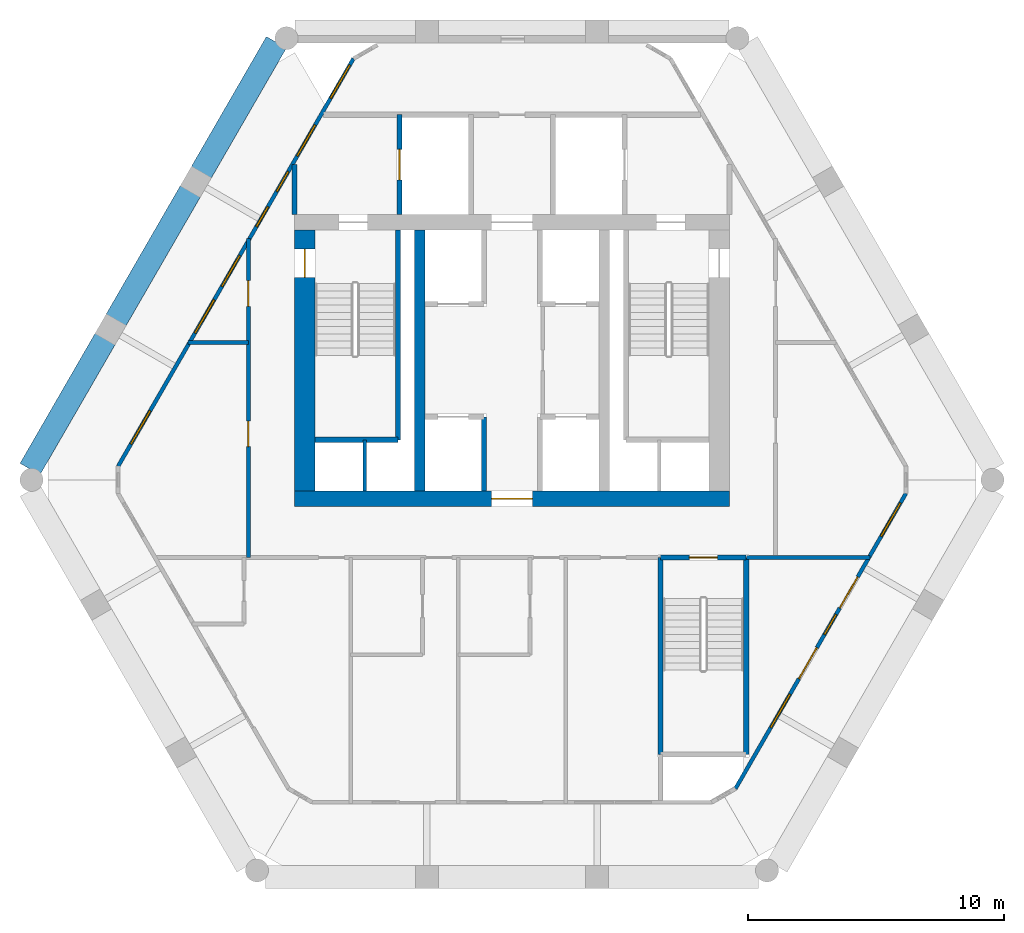
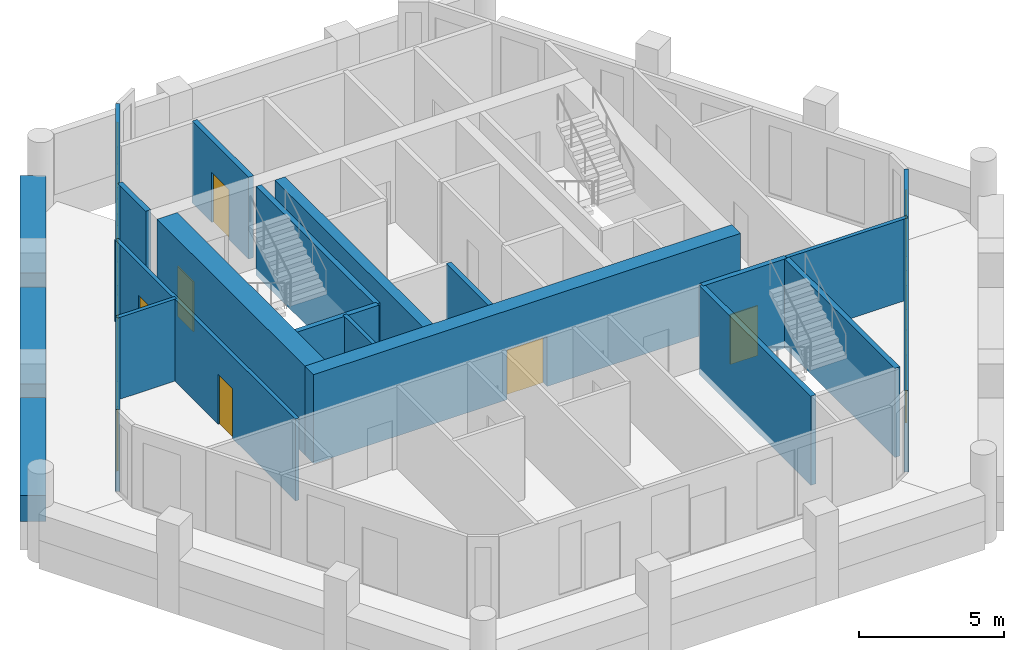
# One storey, part 3 of 6: 20 walls, 10 windows, 8 doors, 18 openings.
"""IFC4 building model written with IfcOpenShell, lengths in metres."""

from ifc_helpers import new_model, si_unit, direction, frame, frame_2d, origin, place, context, subcontext, project, spatial, rectangle, extrude, material, layer, layer_set, type_object, element, fill, save


model = new_model("IFC4")

# Units and contexts
model_context = context("Model", 3, precision=1e-05, world=origin(), true_north=direction((0.0, 1.0)))
body_context = subcontext(model_context, "Body", "Model", "MODEL_VIEW")
ifc_project = project(units=[si_unit("LENGTHUNIT", "METRE"), si_unit("AREAUNIT", "SQUARE_METRE"), si_unit("VOLUMEUNIT", "CUBIC_METRE"), si_unit("PLANEANGLEUNIT", "RADIAN"), si_unit("MASSUNIT", "GRAM", prefix="KILO")], contexts=[model_context])

# Site, building, storey
site_placement = place(None, origin())
site = spatial("IfcSite", under=ifc_project, at=site_placement, CompositionType="ELEMENT")
building_placement = place(site_placement, origin())
building = spatial("IfcBuilding", under=site, at=building_placement, Name="Ostrander Bayou Hotel Tower", CompositionType="ELEMENT")
storey_placement = place(building_placement, frame((0.0, 0.0, 252.5)))
storey = spatial("IfcBuildingStorey", under=building, at=storey_placement, Name="L62", CompositionType="ELEMENT", Elevation=252.5)

# Wall, opening, door
ifc_material_1 = material(Name="Concrete f'c 60 MPa", Category="concrete")
ifc_layer_1 = layer(ifc_material_1, 0.60009765625)
ifc_layer_set_1 = layer_set([ifc_layer_1], Name="CW10 core wall 600 mm f'c 60 MPa")
wall_type_1 = type_object("IfcWallType", Name="CW10 core wall 600 mm f'c 60 MPa", PredefinedType="SHEAR", material=ifc_layer_set_1)
wall_1_placement = place(storey_placement, frame((-8.5, -1.39990234375, -0.300048828125), z_axis=(0.0, 0.0, 1.0), x_axis=(1.0, 0.0, 0.0)))
wall_1 = element("IfcWall", 1, at=wall_1_placement, inside=storey, type_object=wall_type_1, Name="CW10 L62 S", PredefinedType="SHEAR", context=body_context, shape_type="SweptSolid", body=[
    extrude(rectangle(XDim=17.0, YDim=0.60009765625, at=frame_2d((8.5, 0.0))), origin(), (0.0, 0.0, 1.0), 3.75),
])
opening_1_placement = place(wall_1_placement, frame((7.699951171875, 0.0, 0.0)))
opening_1 = element("IfcOpeningElement", 2, at=opening_1_placement, cuts=wall_1, Name="Opening T60-005", PredefinedType="OPENING", context=body_context, shape_type="SweptSolid", body=[
    extrude(rectangle(XDim=1.60009765625, YDim=2.10009765625, at=frame_2d((0.800048828125, 1.050048828125))), frame((0.0, 0.300048828125, 0.0), z_axis=(0.0, -1.0, 0.0), x_axis=(1.0, 0.0, 0.0)), (0.0, 0.0, 1.0), 0.60009765625),
])
ifc_material_2 = material(Name="Timber door leaf", Category="wood")
door_type_1 = type_object("IfcDoorType", Name="D13 double door 1600 x 2100 mm, 1 hour", OperationType="SINGLE_SWING_LEFT", PredefinedType="DOOR", material=ifc_material_2)
door_1_placement = place(opening_1_placement, origin())
door_1 = element("IfcDoor", 3, at=door_1_placement, inside=storey, type_object=door_type_1, Name="dr:L62:005", OperationType="DOUBLE_DOOR_SINGLE_SWING", OverallHeight=2.10009765625, OverallWidth=1.60009765625, PredefinedType="DOOR", context=body_context, shape_type="SweptSolid", body=[
    extrude(rectangle(XDim=1.60009765625, YDim=2.10009765625, at=frame_2d((0.800048828125, 1.050048828125))), frame((0.0, 0.02490234375, 0.0), z_axis=(0.0, -1.0, 0.0), x_axis=(1.0, 0.0, 0.0)), (0.0, 0.0, 1.0), 0.050048828125),
])
fill(opening_1, door_1)

ifc_material_3 = material(Name="Concrete f'c 60 MPa", Category="concrete")
ifc_layer_2 = layer(ifc_material_3, 0.800048828125)
ifc_layer_set_2 = layer_set([ifc_layer_2], Name="CW11 core spine wall 800 mm f'c 60 MPa")
wall_type_2 = type_object("IfcWallType", Name="CW11 core spine wall 800 mm f'c 60 MPa", PredefinedType="SHEAR", material=ifc_layer_set_2)
wall_2_placement = place(storey_placement, frame((-8.10009765625, -1.10009765625, -0.300048828125), z_axis=(0.0, 0.0, 1.0), x_axis=(0.0, 1.0, 0.0)))
wall_2 = element("IfcWall", 4, at=wall_2_placement, inside=storey, type_object=wall_type_2, Name="CW11 L62 W", PredefinedType="SHEAR", context=body_context, shape_type="SweptSolid", body=[
    extrude(rectangle(XDim=10.2001953125, YDim=0.800048828125, at=frame_2d((5.10009765625, 0.0))), origin(), (0.0, 0.0, 1.0), 3.75),
])
opening_2_placement = place(wall_2_placement, frame((8.35009765625, 0.0, 0.0)))
opening_2 = element("IfcOpeningElement", 5, at=opening_2_placement, cuts=wall_2, Name="Opening T60-008", PredefinedType="OPENING", context=body_context, shape_type="SweptSolid", body=[
    extrude(rectangle(XDim=1.10009765625, YDim=2.10009765625, at=frame_2d((0.550048828125, 1.050048828125))), frame((0.0, 0.39990234375, 0.0), z_axis=(0.0, -1.0, 0.0), x_axis=(1.0, 0.0, 0.0)), (0.0, 0.0, 1.0), 0.800048828125),
])
ifc_material_4 = material(Name="Timber door leaf", Category="wood")
door_type_2 = type_object("IfcDoorType", Name="D5 stair door 1100 x 2100 mm, 90 minute", OperationType="SINGLE_SWING_LEFT", PredefinedType="DOOR", material=ifc_material_4)
door_2_placement = place(opening_2_placement, origin())
door_2 = element("IfcDoor", 6, at=door_2_placement, inside=storey, type_object=door_type_2, Name="dr:L62:008", OperationType="SINGLE_SWING_RIGHT", OverallHeight=2.10009765625, OverallWidth=1.10009765625, PredefinedType="DOOR", context=body_context, shape_type="SweptSolid", body=[
    extrude(rectangle(XDim=1.10009765625, YDim=2.10009765625, at=frame_2d((0.550048828125, 1.050048828125))), frame((0.0, 0.02490234375, 0.0), z_axis=(0.0, -1.0, 0.0), x_axis=(1.0, 0.0, 0.0)), (0.0, 0.0, 1.0), 0.050048828125),
])
fill(opening_2, door_2)

# Wall
ifc_material_5 = material(Name="Concrete f'c 60 MPa", Category="concrete")
ifc_layer_3 = layer(ifc_material_5, 0.39990234375)
ifc_layer_set_3 = layer_set([ifc_layer_3], Name="CW12 core bank wall 400 mm f'c 60 MPa")
wall_type_3 = type_object("IfcWallType", Name="CW12 core bank wall 400 mm f'c 60 MPa", PredefinedType="SHEAR", material=ifc_layer_set_3)
wall_3_placement = place(storey_placement, frame((-3.60009765625, -1.10009765625, -0.300048828125), z_axis=(0.0, 0.0, 1.0), x_axis=(0.0, 1.0, 0.0)))
element("IfcWall", 7, at=wall_3_placement, inside=storey, type_object=wall_type_3, Name="CW12 L62 CW", PredefinedType="SHEAR", context=body_context, shape_type="SweptSolid", body=[
    extrude(rectangle(XDim=10.2001953125, YDim=0.39990234375, at=frame_2d((5.10009765625, 0.0))), origin(), (0.0, 0.0, 1.0), 3.75),
])

# Wall, openings, windows
ifc_material_6 = material(Name="Aluminium framed insulated wall", Category="aluminium")
ifc_layer_4 = layer(ifc_material_6, 0.14990234375)
ifc_layer_set_4 = layer_set([ifc_layer_4], Name="GW1 glass-line wall 150 mm")
wall_type_4 = type_object("IfcWallType", Name="GW1 glass-line wall 150 mm", PredefinedType="SOLIDWALL", material=ifc_layer_set_4)
wall_4_placement = place(storey_placement, frame((-6.19287109375, 15.79248046875, 0.0), z_axis=(0.0, 0.0, 1.0), x_axis=(-0.499998651697, -0.866026182226, 0.0)))
wall_4 = element("IfcWall", 8, at=wall_4_placement, inside=storey, type_object=wall_type_4, Name="GW1 L62 NW 1", PredefinedType="SOLIDWALL", context=body_context, shape_type="SweptSolid", body=[
    extrude(rectangle(XDim=18.38916015625, YDim=0.14990234375, at=frame_2d((9.194580078125, 0.0))), origin(), (0.0, 0.0, 1.0), 3.449951171875),
])
opening_3_placement = place(wall_4_placement, frame((5.093505859375, 0.0, 0.14990234375)))
opening_3 = element("IfcOpeningElement", 9, at=opening_3_placement, cuts=wall_4, Name="Opening W18", PredefinedType="OPENING", context=body_context, shape_type="SweptSolid", body=[
    extrude(rectangle(XDim=0.89990234375, YDim=2.85009765625, at=frame_2d((0.449951171875, 1.425048828125))), frame((0.0, 0.074951171875, 0.0), z_axis=(0.0, -1.0, 0.0), x_axis=(1.0, 0.0, 0.0)), (0.0, 0.0, 1.0), 0.14990234375),
])
opening_4_placement = place(wall_4_placement, frame((2.99365234375, 0.0, 0.14990234375)))
opening_4 = element("IfcOpeningElement", 10, at=opening_4_placement, cuts=wall_4, Name="Opening W14", PredefinedType="OPENING", context=body_context, shape_type="SweptSolid", body=[
    extrude(rectangle(XDim=1.39990234375, YDim=2.85009765625, at=frame_2d((0.699951171875, 1.425048828125))), frame((0.0, 0.074951171875, 0.0), z_axis=(0.0, -1.0, 0.0), x_axis=(1.0, 0.0, 0.0)), (0.0, 0.0, 1.0), 0.14990234375),
])
opening_5_placement = place(wall_4_placement, frame((6.68017578125, 0.0, 0.14990234375)))
opening_5 = element("IfcOpeningElement", 11, at=opening_5_placement, cuts=wall_4, Name="Opening W18", PredefinedType="OPENING", context=body_context, shape_type="SweptSolid", body=[
    extrude(rectangle(XDim=0.89990234375, YDim=2.85009765625, at=frame_2d((0.449951171875, 1.425048828125))), frame((0.0, 0.074951171875, 0.0), z_axis=(0.0, -1.0, 0.0), x_axis=(1.0, 0.0, 0.0)), (0.0, 0.0, 1.0), 0.14990234375),
])
opening_6_placement = place(wall_4_placement, frame((8.880126953125, 0.0, 0.14990234375)))
opening_6 = element("IfcOpeningElement", 12, at=opening_6_placement, cuts=wall_4, Name="Opening W14", PredefinedType="OPENING", context=body_context, shape_type="SweptSolid", body=[
    extrude(rectangle(XDim=1.39990234375, YDim=2.85009765625, at=frame_2d((0.699951171875, 1.425048828125))), frame((0.0, 0.074951171875, 0.0), z_axis=(0.0, -1.0, 0.0), x_axis=(1.0, 0.0, 0.0)), (0.0, 0.0, 1.0), 0.14990234375),
])
opening_7_placement = place(wall_4_placement, frame((10.880126953125, 0.0, 0.14990234375)))
opening_7 = element("IfcOpeningElement", 13, at=opening_7_placement, cuts=wall_4, Name="Opening W4", PredefinedType="OPENING", context=body_context, shape_type="SweptSolid", body=[
    extrude(rectangle(XDim=1.5, YDim=2.85009765625, at=frame_2d((0.75, 1.425048828125))), frame((0.0, 0.074951171875, 0.0), z_axis=(0.0, -1.0, 0.0), x_axis=(1.0, 0.0, 0.0)), (0.0, 0.0, 1.0), 0.14990234375),
])
opening_8_placement = place(wall_4_placement, frame((0.2900390625, 0.0, 0.14990234375)))
opening_8 = element("IfcOpeningElement", 14, at=opening_8_placement, cuts=wall_4, Name="Opening W4", PredefinedType="OPENING", context=body_context, shape_type="SweptSolid", body=[
    extrude(rectangle(XDim=1.5, YDim=2.72998046875, at=frame_2d((0.75, 1.364990234375))), frame((0.0, 0.074951171875, 0.0), z_axis=(0.0, -1.0, 0.0), x_axis=(1.0, 0.0, 0.0)), (0.0, 0.0, 1.0), 0.14990234375),
])
opening_9_placement = place(wall_4_placement, frame((15.884765625, 0.0, 0.14990234375)))
opening_9 = element("IfcOpeningElement", 15, at=opening_9_placement, cuts=wall_4, Name="Opening W4", PredefinedType="OPENING", context=body_context, shape_type="SweptSolid", body=[
    extrude(rectangle(XDim=1.5, YDim=2.72998046875, at=frame_2d((0.75, 1.364990234375))), frame((0.0, 0.074951171875, 0.0), z_axis=(0.0, -1.0, 0.0), x_axis=(1.0, 0.0, 0.0)), (0.0, 0.0, 1.0), 0.14990234375),
])
ifc_material_7 = material(Name="Aluminium and clear glass", Category="aluminium")
window_type_1 = type_object("IfcWindowType", Name="W14 fixed window 1400 mm, bath bay, zone 4", PartitioningType="SINGLE_PANEL", PredefinedType="WINDOW", material=ifc_material_7)
window_1_placement = place(opening_4_placement, origin())
window_1 = element("IfcWindow", 16, at=window_1_placement, inside=storey, type_object=window_type_1, Name="W14 L62 NW 1", OverallHeight=2.85009765625, OverallWidth=1.39990234375, PartitioningType="SINGLE_PANEL", PredefinedType="WINDOW", context=body_context, shape_type="SweptSolid", body=[
    extrude(rectangle(XDim=1.39990234375, YDim=2.85009765625, at=frame_2d((0.699951171875, 1.425048828125))), frame((0.0, 0.030029296875, 0.0), z_axis=(0.0, -1.0, 0.0), x_axis=(1.0, 0.0, 0.0)), (0.0, 0.0, 1.0), 0.06005859375),
])
fill(opening_4, window_1)
window_2_placement = place(opening_6_placement, origin())
window_2 = element("IfcWindow", 17, at=window_2_placement, inside=storey, type_object=window_type_1, Name="W14 L62 NW 2", OverallHeight=2.85009765625, OverallWidth=1.39990234375, PartitioningType="SINGLE_PANEL", PredefinedType="WINDOW", context=body_context, shape_type="SweptSolid", body=[
    extrude(rectangle(XDim=1.39990234375, YDim=2.85009765625, at=frame_2d((0.699951171875, 1.425048828125))), frame((0.0, 0.030029296875, 0.0), z_axis=(0.0, -1.0, 0.0), x_axis=(1.0, 0.0, 0.0)), (0.0, 0.0, 1.0), 0.06005859375),
])
fill(opening_6, window_2)
ifc_material_8 = material(Name="Aluminium and clear glass", Category="aluminium")
window_type_2 = type_object("IfcWindowType", Name="W18 window 900 mm, zone 4", PartitioningType="SINGLE_PANEL", PredefinedType="WINDOW", material=ifc_material_8)
window_3_placement = place(opening_3_placement, origin())
window_3 = element("IfcWindow", 18, at=window_3_placement, inside=storey, type_object=window_type_2, Name="W18 L62 NW 1", OverallHeight=2.85009765625, OverallWidth=0.89990234375, PartitioningType="SINGLE_PANEL", PredefinedType="WINDOW", context=body_context, shape_type="SweptSolid", body=[
    extrude(rectangle(XDim=0.89990234375, YDim=2.85009765625, at=frame_2d((0.449951171875, 1.425048828125))), frame((0.0, 0.030029296875, 0.0), z_axis=(0.0, -1.0, 0.0), x_axis=(1.0, 0.0, 0.0)), (0.0, 0.0, 1.0), 0.06005859375),
])
fill(opening_3, window_3)
window_4_placement = place(opening_5_placement, origin())
window_4 = element("IfcWindow", 19, at=window_4_placement, inside=storey, type_object=window_type_2, Name="W18 L62 NW 2", OverallHeight=2.85009765625, OverallWidth=0.89990234375, PartitioningType="SINGLE_PANEL", PredefinedType="WINDOW", context=body_context, shape_type="SweptSolid", body=[
    extrude(rectangle(XDim=0.89990234375, YDim=2.85009765625, at=frame_2d((0.449951171875, 1.425048828125))), frame((0.0, 0.030029296875, 0.0), z_axis=(0.0, -1.0, 0.0), x_axis=(1.0, 0.0, 0.0)), (0.0, 0.0, 1.0), 0.06005859375),
])
fill(opening_5, window_4)
ifc_material_9 = material(Name="Aluminium and clear glass", Category="aluminium")
window_type_3 = type_object("IfcWindowType", Name="W4 fixed window 1500 mm, zone 4", PartitioningType="SINGLE_PANEL", PredefinedType="WINDOW", material=ifc_material_9)
window_5_placement = place(opening_7_placement, origin())
window_5 = element("IfcWindow", 20, at=window_5_placement, inside=storey, type_object=window_type_3, Name="W4 L62 NW 3", OverallHeight=2.85009765625, OverallWidth=1.5, PartitioningType="SINGLE_PANEL", PredefinedType="WINDOW", context=body_context, shape_type="SweptSolid", body=[
    extrude(rectangle(XDim=1.5, YDim=2.85009765625, at=frame_2d((0.75, 1.425048828125))), frame((0.0, 0.030029296875, 0.0), z_axis=(0.0, -1.0, 0.0), x_axis=(1.0, 0.0, 0.0)), (0.0, 0.0, 1.0), 0.06005859375),
])
fill(opening_7, window_5)
window_6_placement = place(opening_8_placement, origin())
window_6 = element("IfcWindow", 21, at=window_6_placement, inside=storey, type_object=window_type_3, Name="W4 L62 NW E11", OverallHeight=2.72998046875, OverallWidth=1.5, PartitioningType="SINGLE_PANEL", PredefinedType="WINDOW", context=body_context, shape_type="SweptSolid", body=[
    extrude(rectangle(XDim=1.5, YDim=2.72998046875, at=frame_2d((0.75, 1.364990234375))), frame((0.0, 0.030029296875, 0.0), z_axis=(0.0, -1.0, 0.0), x_axis=(1.0, 0.0, 0.0)), (0.0, 0.0, 1.0), 0.06005859375),
])
fill(opening_8, window_6)
window_7_placement = place(opening_9_placement, origin())
window_7 = element("IfcWindow", 22, at=window_7_placement, inside=storey, type_object=window_type_3, Name="W4 L62 NW E21", OverallHeight=2.72998046875, OverallWidth=1.5, PartitioningType="SINGLE_PANEL", PredefinedType="WINDOW", context=body_context, shape_type="SweptSolid", body=[
    extrude(rectangle(XDim=1.5, YDim=2.72998046875, at=frame_2d((0.75, 1.364990234375))), frame((0.0, 0.030029296875, 0.0), z_axis=(0.0, -1.0, 0.0), x_axis=(1.0, 0.0, 0.0)), (0.0, 0.0, 1.0), 0.06005859375),
])
fill(opening_9, window_7)

# Wall, openings, doors, windows
wall_5_placement = place(storey_placement, frame((8.731201171875, -12.72705078125, 0.0), z_axis=(0.0, 0.0, 1.0), x_axis=(0.499997087355, 0.866027085394, 0.0)))
wall_5 = element("IfcWall", 23, at=wall_5_placement, inside=storey, type_object=wall_type_4, Name="GW1 L62 SE 1", PredefinedType="SOLIDWALL", context=body_context, shape_type="SweptSolid", body=[
    extrude(rectangle(XDim=13.3125, YDim=0.14990234375, at=frame_2d((6.65625, 0.0))), origin(), (0.0, 0.0, 1.0), 3.449951171875),
])
opening_10_placement = place(wall_5_placement, frame((2.75634765625, 0.0, 0.14990234375)))
opening_10 = element("IfcOpeningElement", 24, at=opening_10_placement, cuts=wall_5, Name="Opening W4", PredefinedType="OPENING", context=body_context, shape_type="SweptSolid", body=[
    extrude(rectangle(XDim=1.5, YDim=2.85009765625, at=frame_2d((0.75, 1.425048828125))), frame((0.0, 0.074951171875, 0.0), z_axis=(0.0, -1.0, 0.0), x_axis=(1.0, 0.0, 0.0)), (0.0, 0.0, 1.0), 0.14990234375),
])
opening_11_placement = place(wall_5_placement, frame((4.956298828125, 0.0, 0.0)))
opening_11 = element("IfcOpeningElement", 25, at=opening_11_placement, cuts=wall_5, Name="Opening T60-803", PredefinedType="OPENING", context=body_context, shape_type="SweptSolid", body=[
    extrude(rectangle(XDim=1.39990234375, YDim=2.39990234375, at=frame_2d((0.699951171875, 1.199951171875))), frame((0.0, 0.074951171875, 0.0), z_axis=(0.0, -1.0, 0.0), x_axis=(1.0, 0.0, 0.0)), (0.0, 0.0, 1.0), 0.14990234375),
])
opening_12_placement = place(wall_5_placement, frame((6.956298828125, 0.0, 0.14990234375)))
opening_12 = element("IfcOpeningElement", 26, at=opening_12_placement, cuts=wall_5, Name="Opening W18", PredefinedType="OPENING", context=body_context, shape_type="SweptSolid", body=[
    extrude(rectangle(XDim=0.89990234375, YDim=2.85009765625, at=frame_2d((0.449951171875, 1.425048828125))), frame((0.0, 0.074951171875, 0.0), z_axis=(0.0, -1.0, 0.0), x_axis=(1.0, 0.0, 0.0)), (0.0, 0.0, 1.0), 0.14990234375),
])
opening_13_placement = place(wall_5_placement, frame((8.1494140625, 0.0, 0.0)))
opening_13 = element("IfcOpeningElement", 27, at=opening_13_placement, cuts=wall_5, Name="Opening T60-804", PredefinedType="OPENING", context=body_context, shape_type="SweptSolid", body=[
    extrude(rectangle(XDim=1.39990234375, YDim=2.39990234375, at=frame_2d((0.699951171875, 1.199951171875))), frame((0.0, 0.074951171875, 0.0), z_axis=(0.0, -1.0, 0.0), x_axis=(1.0, 0.0, 0.0)), (0.0, 0.0, 1.0), 0.14990234375),
])
opening_14_placement = place(wall_5_placement, frame((11.384521484375, 0.0, 0.14990234375)))
opening_14 = element("IfcOpeningElement", 28, at=opening_14_placement, cuts=wall_5, Name="Opening W4", PredefinedType="OPENING", context=body_context, shape_type="SweptSolid", body=[
    extrude(rectangle(XDim=1.5, YDim=2.72998046875, at=frame_2d((0.75, 1.364990234375))), frame((0.0, 0.074951171875, 0.0), z_axis=(0.0, -1.0, 0.0), x_axis=(1.0, 0.0, 0.0)), (0.0, 0.0, 1.0), 0.14990234375),
])
ifc_material_10 = material(Name="Aluminium and clear glass", Category="aluminium")
door_type_3 = type_object("IfcDoorType", Name="SD4 sliding glass door 1400 mm, zone 4", OperationType="SLIDING_TO_LEFT", PredefinedType="DOOR", material=ifc_material_10)
door_3_placement = place(opening_11_placement, origin())
door_3 = element("IfcDoor", 29, at=door_3_placement, inside=storey, type_object=door_type_3, Name="SD4 L62 SE 1", OperationType="SLIDING_TO_LEFT", OverallHeight=2.39990234375, OverallWidth=1.39990234375, PredefinedType="DOOR", context=body_context, shape_type="SweptSolid", body=[
    extrude(rectangle(XDim=1.39990234375, YDim=2.39990234375, at=frame_2d((0.699951171875, 1.199951171875))), frame((0.0, 0.02490234375, 0.0), z_axis=(0.0, -1.0, 0.0), x_axis=(1.0, 0.0, 0.0)), (0.0, 0.0, 1.0), 0.050048828125),
])
fill(opening_11, door_3)
door_4_placement = place(opening_13_placement, origin())
door_4 = element("IfcDoor", 30, at=door_4_placement, inside=storey, type_object=door_type_3, Name="SD4 L62 SE 2", OperationType="SLIDING_TO_RIGHT", OverallHeight=2.39990234375, OverallWidth=1.39990234375, PredefinedType="DOOR", context=body_context, shape_type="SweptSolid", body=[
    extrude(rectangle(XDim=1.39990234375, YDim=2.39990234375, at=frame_2d((0.699951171875, 1.199951171875))), frame((0.0, 0.02490234375, 0.0), z_axis=(0.0, -1.0, 0.0), x_axis=(1.0, 0.0, 0.0)), (0.0, 0.0, 1.0), 0.050048828125),
])
fill(opening_13, door_4)
window_8_placement = place(opening_12_placement, origin())
window_8 = element("IfcWindow", 31, at=window_8_placement, inside=storey, type_object=window_type_2, Name="W18 L62 SE 2", OverallHeight=2.85009765625, OverallWidth=0.89990234375, PartitioningType="SINGLE_PANEL", PredefinedType="WINDOW", context=body_context, shape_type="SweptSolid", body=[
    extrude(rectangle(XDim=0.89990234375, YDim=2.85009765625, at=frame_2d((0.449951171875, 1.425048828125))), frame((0.0, 0.030029296875, 0.0), z_axis=(0.0, -1.0, 0.0), x_axis=(1.0, 0.0, 0.0)), (0.0, 0.0, 1.0), 0.06005859375),
])
fill(opening_12, window_8)
window_9_placement = place(opening_10_placement, origin())
window_9 = element("IfcWindow", 32, at=window_9_placement, inside=storey, type_object=window_type_3, Name="W4 L62 SE 1", OverallHeight=2.85009765625, OverallWidth=1.5, PartitioningType="SINGLE_PANEL", PredefinedType="WINDOW", context=body_context, shape_type="SweptSolid", body=[
    extrude(rectangle(XDim=1.5, YDim=2.85009765625, at=frame_2d((0.75, 1.425048828125))), frame((0.0, 0.030029296875, 0.0), z_axis=(0.0, -1.0, 0.0), x_axis=(1.0, 0.0, 0.0)), (0.0, 0.0, 1.0), 0.06005859375),
])
fill(opening_10, window_9)
window_10_placement = place(opening_14_placement, origin())
window_10 = element("IfcWindow", 33, at=window_10_placement, inside=storey, type_object=window_type_3, Name="W4 L62 SE E21", OverallHeight=2.72998046875, OverallWidth=1.5, PartitioningType="SINGLE_PANEL", PredefinedType="WINDOW", context=body_context, shape_type="SweptSolid", body=[
    extrude(rectangle(XDim=1.5, YDim=2.72998046875, at=frame_2d((0.75, 1.364990234375))), frame((0.0, 0.030029296875, 0.0), z_axis=(0.0, -1.0, 0.0), x_axis=(1.0, 0.0, 0.0)), (0.0, 0.0, 1.0), 0.06005859375),
])
fill(opening_14, window_10)

# Walls
ifc_material_11 = material(Name="Concrete f'c 40 MPa", Category="concrete")
ifc_layer_5 = layer(ifc_material_11, 0.89990234375)
ifc_layer_set_5 = layer_set([ifc_layer_5], Name="PA1 stone-faced parapet 900 mm")
wall_type_5 = type_object("IfcWallType", Name="PA1 stone-faced parapet 900 mm", PredefinedType="PARAPET", material=ifc_layer_set_5)
wall_6_placement = place(storey_placement, frame((-9.20361328125, 16.427978515625, 0.0), z_axis=(0.0, 0.0, 1.0), x_axis=(-0.500008985279, -0.866020216069, 0.0)))
element("IfcWall", 34, at=wall_6_placement, inside=storey, type_object=wall_type_5, Name="PA1 L62 NW-1", PredefinedType="PARAPET", context=body_context, shape_type="SweptSolid", body=[
    extrude(rectangle(XDim=5.8759765625, YDim=0.89990234375, at=frame_2d((2.93798828125, 0.0))), origin(), (0.0, 0.0, 1.0), 1.10009765625),
])
wall_7_placement = place(storey_placement, frame((-12.5615234375, 10.61181640625, 0.0), z_axis=(0.0, 0.0, 1.0), x_axis=(-0.499997265274, -0.866026982673, 0.0)))
element("IfcWall", 35, at=wall_7_placement, inside=storey, type_object=wall_type_5, Name="PA1 L62 NW-2", PredefinedType="PARAPET", context=body_context, shape_type="SweptSolid", body=[
    extrude(rectangle(XDim=5.81884765625, YDim=0.89990234375, at=frame_2d((2.909423828125, 0.0))), origin(), (0.0, 0.0, 1.0), 1.10009765625),
])
wall_8_placement = place(storey_placement, frame((-15.890869140625, 4.84521484375, 0.0), z_axis=(0.0, 0.0, 1.0), x_axis=(-0.499990994059, -0.866030603304, 0.0)))
element("IfcWall", 36, at=wall_8_placement, inside=storey, type_object=wall_type_5, Name="PA1 L62 NW-3", PredefinedType="PARAPET", context=body_context, shape_type="SweptSolid", body=[
    extrude(rectangle(XDim=5.8759765625, YDim=0.89990234375, at=frame_2d((2.93798828125, 0.0))), origin(), (0.0, 0.0, 1.0), 1.10009765625),
])
ifc_material_12 = material(Name="Masonry block", Category="masonry")
ifc_layer_6 = layer(ifc_material_12, 0.199951171875)
ifc_layer_set_6 = layer_set([ifc_layer_6], Name="PT5 stair enclosure wall 200 mm masonry, 2 hour")
wall_type_6 = type_object("IfcWallType", Name="PT5 stair enclosure wall 200 mm masonry, 2 hour", PredefinedType="PARTITIONING", material=ifc_layer_set_6)
wall_9_placement = place(storey_placement, frame((-8.5, 9.699951171875, 0.0), z_axis=(0.0, 0.0, 1.0), x_axis=(0.0, 1.0, 0.0)))
element("IfcWall", 37, at=wall_9_placement, inside=storey, type_object=wall_type_6, Name="cs:L62:021", PredefinedType="PARTITIONING", context=body_context, shape_type="SweptSolid", body=[
    extrude(rectangle(XDim=1.946533203125, YDim=0.199951171875, at=frame_2d((0.97314453125, 0.0))), origin(), (0.0, 0.0, 1.0), 3.449951171875),
])

# Wall, opening, door
wall_10_placement = place(storey_placement, frame((-4.39990234375, 9.699951171875, 0.0), z_axis=(0.0, 0.0, 1.0), x_axis=(0.0, 1.0, 0.0)))
wall_10 = element("IfcWall", 38, at=wall_10_placement, inside=storey, type_object=wall_type_6, Name="cs:L62:023", PredefinedType="PARTITIONING", context=body_context, shape_type="SweptSolid", body=[
    extrude(rectangle(XDim=3.900146484375, YDim=0.199951171875, at=frame_2d((1.9501953125, 0.0))), origin(), (0.0, 0.0, 1.0), 3.449951171875),
])
opening_15_placement = place(wall_10_placement, frame((1.35009765625, 0.0, 0.0)))
opening_15 = element("IfcOpeningElement", 39, at=opening_15_placement, cuts=wall_10, Name="Opening T60-012", PredefinedType="OPENING", context=body_context, shape_type="SweptSolid", body=[
    extrude(rectangle(XDim=1.199951171875, YDim=2.10009765625, at=frame_2d((0.60009765625, 1.050048828125))), frame((0.0, 0.10009765625, 0.0), z_axis=(0.0, -1.0, 0.0), x_axis=(1.0, 0.0, 0.0)), (0.0, 0.0, 1.0), 0.199951171875),
])
ifc_material_13 = material(Name="Stainless steel sliding door", Category="steel")
door_type_4 = type_object("IfcDoorType", Name="LD1 lift landing door 1200 x 2100 mm", OperationType="SINGLE_SWING_LEFT", PredefinedType="DOOR", material=ifc_material_13)
door_5_placement = place(opening_15_placement, origin())
door_5 = element("IfcDoor", 40, at=door_5_placement, inside=storey, type_object=door_type_4, Name="dr:L62:012", OperationType="SLIDING_TO_LEFT", OverallHeight=2.10009765625, OverallWidth=1.199951171875, PredefinedType="DOOR", context=body_context, shape_type="SweptSolid", body=[
    extrude(rectangle(XDim=1.199951171875, YDim=2.10009765625, at=frame_2d((0.60009765625, 1.050048828125))), frame((0.0, 0.02490234375, 0.0), z_axis=(0.0, -1.0, 0.0), x_axis=(1.0, 0.0, 0.0)), (0.0, 0.0, 1.0), 0.050048828125),
])
fill(opening_15, door_5)

# Walls
ifc_material_14 = material(Name="Masonry block", Category="masonry")
ifc_layer_7 = layer(ifc_material_14, 0.199951171875)
ifc_layer_set_7 = layer_set([ifc_layer_7], Name="PT6 lift shaft wall 200 mm masonry, 2 hour")
wall_type_7 = type_object("IfcWallType", Name="PT6 lift shaft wall 200 mm masonry, 2 hour", PredefinedType="PARTITIONING", material=ifc_layer_set_7)
wall_11_placement = place(storey_placement, frame((-1.10009765625, -1.10009765625, 0.0), z_axis=(0.0, 0.0, 1.0), x_axis=(0.0, 1.0, 0.0)))
element("IfcWall", 41, at=wall_11_placement, inside=storey, type_object=wall_type_7, Name="cs:L62:005", PredefinedType="PARTITIONING", context=body_context, shape_type="SweptSolid", body=[
    extrude(rectangle(XDim=2.900146484375, YDim=0.199951171875, at=frame_2d((1.4501953125, 0.0))), origin(), (0.0, 0.0, 1.0), 3.449951171875),
])
ifc_material_15 = material(Name="Gypsum board partition", Category="finish")
ifc_layer_8 = layer(ifc_material_15, 0.14990234375)
ifc_layer_set_8 = layer_set([ifc_layer_8], Name="PT7 riser wall 150 mm, 2 hour")
wall_type_8 = type_object("IfcWallType", Name="PT7 riser wall 150 mm, 2 hour", PredefinedType="PARTITIONING", material=ifc_layer_set_8)
wall_12_placement = place(storey_placement, frame((-5.75, -1.10009765625, 0.0), z_axis=(0.0, 0.0, 1.0), x_axis=(0.0, 1.0, 0.0)))
element("IfcWall", 42, at=wall_12_placement, inside=storey, type_object=wall_type_8, Name="cs:L62:011", PredefinedType="PARTITIONING", context=body_context, shape_type="SweptSolid", body=[
    extrude(rectangle(XDim=2.0, YDim=0.14990234375, at=frame_2d((1.0, 0.0))), origin(), (0.0, 0.0, 1.0), 3.449951171875),
])
ifc_material_16 = material(Name="Gypsum board partition", Category="finish")
ifc_layer_9 = layer(ifc_material_16, 0.14990234375)
ifc_layer_set_9 = layer_set([ifc_layer_9], Name="PT8 service band wall 150 mm, 1 hour")
wall_type_9 = type_object("IfcWallType", Name="PT8 service band wall 150 mm, 1 hour", PredefinedType="PARTITIONING", material=ifc_layer_set_9)
wall_13_placement = place(storey_placement, frame((9.159912109375, -3.699951171875, 0.0), z_axis=(0.0, 0.0, 1.0), x_axis=(1.0, 0.0, 0.0)))
element("IfcWall", 43, at=wall_13_placement, inside=storey, type_object=wall_type_9, Name="gw:L62:005", PredefinedType="PARTITIONING", context=body_context, shape_type="SweptSolid", body=[
    extrude(rectangle(XDim=4.835205078125, YDim=0.14990234375, at=frame_2d((2.41748046875, 0.0))), origin(), (0.0, 0.0, 1.0), 3.449951171875),
])
wall_14_placement = place(storey_placement, frame((-12.64892578125, 4.699951171875, 0.0), z_axis=(0.0, 0.0, 1.0), x_axis=(1.0, 0.0, 0.0)))
element("IfcWall", 44, at=wall_14_placement, inside=storey, type_object=wall_type_9, Name="gw:L62:006", PredefinedType="PARTITIONING", context=body_context, shape_type="SweptSolid", body=[
    extrude(rectangle(XDim=2.348876953125, YDim=0.14990234375, at=frame_2d((1.17431640625, 0.0))), origin(), (0.0, 0.0, 1.0), 3.449951171875),
])

# Wall, openings, doors
wall_15_placement = place(storey_placement, frame((-10.300048828125, -3.699951171875, 0.0), z_axis=(0.0, 0.0, 1.0), x_axis=(0.0, 1.0, 0.0)))
wall_15 = element("IfcWall", 45, at=wall_15_placement, inside=storey, type_object=wall_type_9, Name="gw:L62:015", PredefinedType="PARTITIONING", context=body_context, shape_type="SweptSolid", body=[
    extrude(rectangle(XDim=12.468994140625, YDim=0.14990234375, at=frame_2d((6.234375, 0.0))), origin(), (0.0, 0.0, 1.0), 3.449951171875),
])
opening_16_placement = place(wall_15_placement, frame((4.33203125, 0.0, 0.0)))
opening_16 = element("IfcOpeningElement", 46, at=opening_16_placement, cuts=wall_15, Name="Opening T60-407", PredefinedType="OPENING", context=body_context, shape_type="SweptSolid", body=[
    extrude(rectangle(XDim=1.0, YDim=2.10009765625, at=frame_2d((0.5, 1.050048828125))), frame((0.0, 0.074951171875, 0.0), z_axis=(0.0, -1.0, 0.0), x_axis=(1.0, 0.0, 0.0)), (0.0, 0.0, 1.0), 0.14990234375),
])
opening_17_placement = place(wall_15_placement, frame((9.81494140625, 0.0, 0.0)))
opening_17 = element("IfcOpeningElement", 47, at=opening_17_placement, cuts=wall_15, Name="Opening T60-408", PredefinedType="OPENING", context=body_context, shape_type="SweptSolid", body=[
    extrude(rectangle(XDim=1.0, YDim=2.10009765625, at=frame_2d((0.5, 1.050048828125))), frame((0.0, 0.074951171875, 0.0), z_axis=(0.0, -1.0, 0.0), x_axis=(1.0, 0.0, 0.0)), (0.0, 0.0, 1.0), 0.14990234375),
])
ifc_material_17 = material(Name="Timber door leaf", Category="wood")
door_type_5 = type_object("IfcDoorType", Name="D15 room door 1000 x 2100 mm", OperationType="SINGLE_SWING_LEFT", PredefinedType="DOOR", material=ifc_material_17)
door_6_placement = place(opening_16_placement, origin())
door_6 = element("IfcDoor", 48, at=door_6_placement, inside=storey, type_object=door_type_5, Name="dr:L62:407", OperationType="SINGLE_SWING_RIGHT", OverallHeight=2.10009765625, OverallWidth=1.0, PredefinedType="DOOR", context=body_context, shape_type="SweptSolid", body=[
    extrude(rectangle(XDim=1.0, YDim=2.10009765625, at=frame_2d((0.5, 1.050048828125))), frame((0.0, 0.02490234375, 0.0), z_axis=(0.0, -1.0, 0.0), x_axis=(1.0, 0.0, 0.0)), (0.0, 0.0, 1.0), 0.050048828125),
])
fill(opening_16, door_6)
ifc_material_18 = material(Name="Timber door leaf", Category="wood")
door_type_6 = type_object("IfcDoorType", Name="D9 service door 1000 x 2100 mm, 30 minute", OperationType="SINGLE_SWING_LEFT", PredefinedType="DOOR", material=ifc_material_18)
door_7_placement = place(opening_17_placement, origin())
door_7 = element("IfcDoor", 49, at=door_7_placement, inside=storey, type_object=door_type_6, Name="dr:L62:408", OperationType="SINGLE_SWING_LEFT", OverallHeight=2.10009765625, OverallWidth=1.0, PredefinedType="DOOR", context=body_context, shape_type="SweptSolid", body=[
    extrude(rectangle(XDim=1.0, YDim=2.10009765625, at=frame_2d((0.5, 1.050048828125))), frame((0.0, 0.02490234375, 0.0), z_axis=(0.0, -1.0, 0.0), x_axis=(1.0, 0.0, 0.0)), (0.0, 0.0, 1.0), 0.050048828125),
])
fill(opening_17, door_7)

# Walls
ifc_material_19 = material(Name="Concrete f'c 45 MPa", Category="concrete")
ifc_layer_10 = layer(ifc_material_19, 0.199951171875)
ifc_layer_set_10 = layer_set([ifc_layer_10], Name="SW5 stair enclosure wall 200 mm f'c 45 MPa")
wall_type_10 = type_object("IfcWallType", Name="SW5 stair enclosure wall 200 mm f'c 45 MPa", PredefinedType="SOLIDWALL", material=ifc_layer_set_10)
wall_16_placement = place(storey_placement, frame((-4.449951171875, 0.89990234375, -0.300048828125), z_axis=(0.0, 0.0, 1.0), x_axis=(0.0, 1.0, 0.0)))
element("IfcWall", 50, at=wall_16_placement, inside=storey, type_object=wall_type_10, Name="cs:L62:009", PredefinedType="SOLIDWALL", context=body_context, shape_type="SweptSolid", body=[
    extrude(rectangle(XDim=8.2001953125, YDim=0.199951171875, at=frame_2d((4.10009765625, 0.0))), origin(), (0.0, 0.0, 1.0), 3.75),
])
wall_17_placement = place(storey_placement, frame((-7.699951171875, 0.89990234375, -0.300048828125), z_axis=(0.0, 0.0, 1.0), x_axis=(1.0, 0.0, 0.0)))
element("IfcWall", 51, at=wall_17_placement, inside=storey, type_object=wall_type_10, Name="cs:L62:010", PredefinedType="SOLIDWALL", context=body_context, shape_type="SweptSolid", body=[
    extrude(rectangle(XDim=3.25, YDim=0.199951171875, at=frame_2d((1.625, 0.0))), origin(), (0.0, 0.0, 1.0), 3.75),
])

# Wall, opening, door
wall_18_placement = place(storey_placement, frame((5.800048828125, -3.699951171875, -0.300048828125), z_axis=(0.0, 0.0, 1.0), x_axis=(1.0, 0.0, 0.0)))
wall_18 = element("IfcWall", 52, at=wall_18_placement, inside=storey, type_object=wall_type_10, Name="cs:L62:015", PredefinedType="SOLIDWALL", context=body_context, shape_type="SweptSolid", body=[
    extrude(rectangle(XDim=3.349853515625, YDim=0.199951171875, at=frame_2d((1.6748046875, 0.0))), origin(), (0.0, 0.0, 1.0), 3.75),
])
opening_18_placement = place(wall_18_placement, frame((1.125, 0.0, 0.0)))
opening_18 = element("IfcOpeningElement", 53, at=opening_18_placement, cuts=wall_18, Name="Opening T60-011", PredefinedType="OPENING", context=body_context, shape_type="SweptSolid", body=[
    extrude(rectangle(XDim=1.10009765625, YDim=2.10009765625, at=frame_2d((0.550048828125, 1.050048828125))), frame((0.0, 0.10009765625, 0.0), z_axis=(0.0, -1.0, 0.0), x_axis=(1.0, 0.0, 0.0)), (0.0, 0.0, 1.0), 0.199951171875),
])
door_8_placement = place(opening_18_placement, origin())
door_8 = element("IfcDoor", 54, at=door_8_placement, inside=storey, type_object=door_type_2, Name="dr:L62:011", OperationType="SINGLE_SWING_LEFT", OverallHeight=2.10009765625, OverallWidth=1.10009765625, PredefinedType="DOOR", context=body_context, shape_type="SweptSolid", body=[
    extrude(rectangle(XDim=1.10009765625, YDim=2.10009765625, at=frame_2d((0.550048828125, 1.050048828125))), frame((0.0, 0.02490234375, 0.0), z_axis=(0.0, -1.0, 0.0), x_axis=(1.0, 0.0, 0.0)), (0.0, 0.0, 1.0), 0.050048828125),
])
fill(opening_18, door_8)

# Walls
for number, where, z_axis, x_axis, name in (
    (55, (5.800048828125, -3.699951171875, -0.300048828125), (0.0, 0.0, 1.0), (0.0, -1.0, 0.0), "cs:L62:016"),
    (56, (9.14990234375, -3.699951171875, -0.300048828125), (0.0, 0.0, 1.0), (0.0, -1.0, 0.0), "cs:L62:017"),
):
    element("IfcWall", number, at=place(storey_placement, frame(where, z_axis=z_axis, x_axis=x_axis)), inside=storey, type_object=wall_type_10, Name=name, PredefinedType="SOLIDWALL", context=body_context, shape_type="SweptSolid", body=[
        extrude(rectangle(XDim=7.699951171875, YDim=0.199951171875, at=frame_2d((3.85009765625, 0.0))), origin(), (0.0, 0.0, 1.0), 3.75),
    ])

save(model, "model.ifc")
